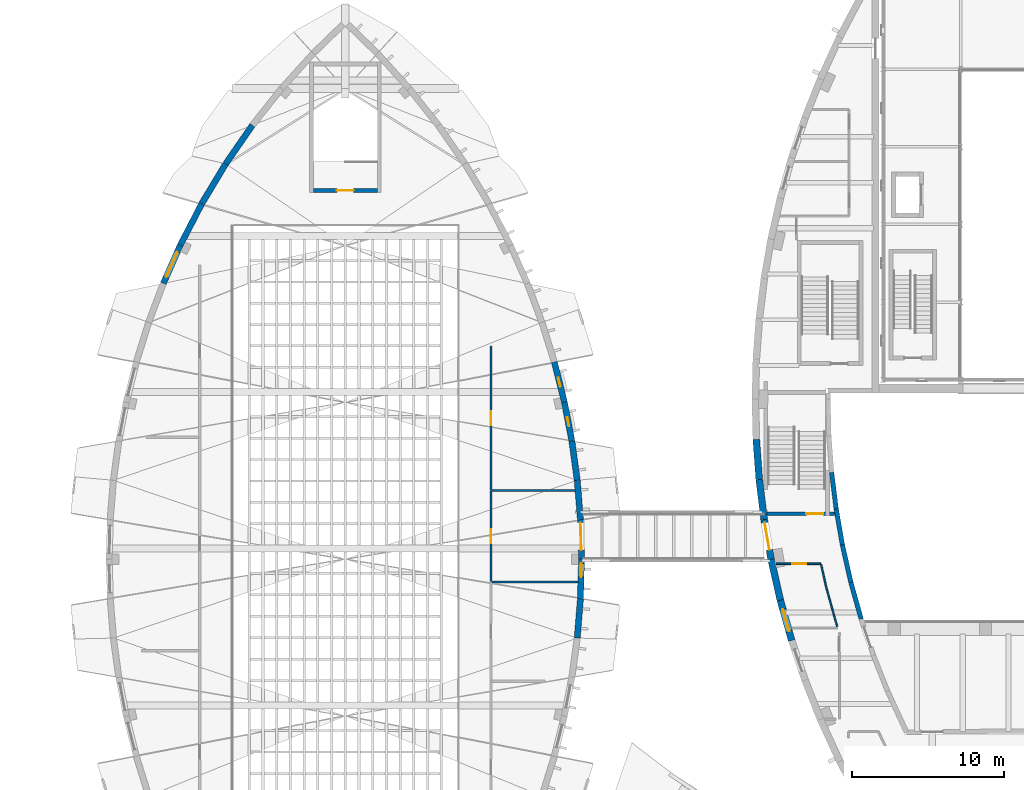
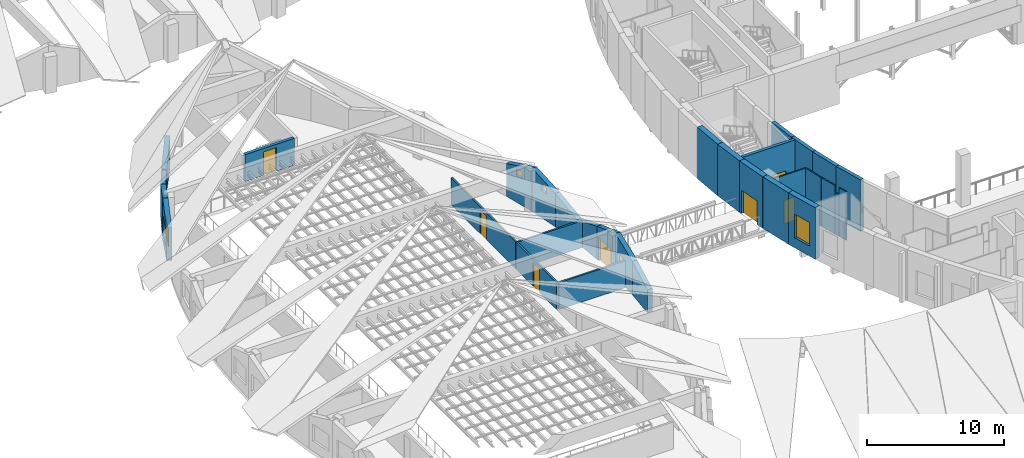
# One storey, part 31 of 56: 31 walls, 7 doors, 5 windows, 12 openings.
"""IFC4 building model written with IfcOpenShell, lengths in metres."""

from ifc_helpers import new_model, si_unit, direction, frame, frame_2d, origin, place, context, subcontext, project, spatial, polyline, rectangle, outline, extrude, material, layer, layer_set, type_object, element, fill, save


model = new_model("IFC4")

# Units and contexts
model_context = context("Model", 3, precision=1e-05, world=origin(), true_north=direction((0.0, 1.0)))
body_context = subcontext(model_context, "Body", "Model", "MODEL_VIEW")
ifc_project = project(units=[si_unit("LENGTHUNIT", "METRE"), si_unit("AREAUNIT", "SQUARE_METRE"), si_unit("VOLUMEUNIT", "CUBIC_METRE"), si_unit("PLANEANGLEUNIT", "RADIAN"), si_unit("MASSUNIT", "GRAM", prefix="KILO")], contexts=[model_context])

# Site, building, storey
site_placement = place(None, origin())
site = spatial("IfcSite", under=ifc_project, at=site_placement, CompositionType="ELEMENT")
building_placement = place(site_placement, origin())
building = spatial("IfcBuilding", under=site, at=building_placement, Name="Tide Square Theatres", CompositionType="ELEMENT")
storey_placement = place(building_placement, frame((0.0, 0.0, 10.199951171875)))
storey = spatial("IfcBuildingStorey", under=building, at=storey_placement, Name="L02", CompositionType="ELEMENT", Elevation=10.199951171875)

# Wall, opening, door
ifc_material_1 = material(Name="Gypsum board on steel studs", Category="steel")
ifc_layer_1 = layer(ifc_material_1, 0.10009765625)
ifc_layer_set_1 = layer_set([ifc_layer_1], Name="Gypsum board on steel studs")
wall_type_1 = type_object("IfcWallType", Name="Partition 100 thick", PredefinedType="PARTITIONING", material=ifc_layer_set_1)
wall_1_placement = place(storey_placement, frame((64.263427734375, 44.199951171875, 0.0), z_axis=(0.0, 0.0, 1.0), x_axis=(1.0, 0.0, 0.0)))
wall_1 = element("IfcWall", 1, at=wall_1_placement, inside=storey, type_object=wall_type_1, Name="Partition", PredefinedType="PARTITIONING", context=body_context, shape_type="SweptSolid", body=[
    extrude(rectangle(XDim=2.9140625, YDim=0.10009765625, at=frame_2d((1.45703125, 0.0))), origin(), (0.0, 0.0, 1.0), 4.35009765625),
])
opening_1_placement = place(wall_1_placement, frame((1.056884765625, 0.0, 0.0)))
opening_1 = element("IfcOpeningElement", 2, at=opening_1_placement, cuts=wall_1, Name="Opening M02-12", PredefinedType="OPENING", context=body_context, shape_type="SweptSolid", body=[
    extrude(rectangle(XDim=0.89990234375, YDim=2.10009765625, at=frame_2d((0.449951171875, 1.050048828125))), frame((0.0, 0.06005859375, 0.0), z_axis=(0.0, -1.0, 0.0), x_axis=(1.0, 0.0, 0.0)), (0.0, 0.0, 1.0), 0.1201171875),
])
ifc_material_2 = material(Name="Hardwood timber", Category="wood")
door_type_1 = type_object("IfcDoorType", Name="Door 900 x 2100 single leaf", OperationType="NOTDEFINED", PredefinedType="DOOR", material=ifc_material_2)
door_1_placement = place(opening_1_placement, frame((0.89990234375, 0.0, 0.0), z_axis=(0.0, 0.0, 1.0), x_axis=(-1.0, 0.0, 0.0)))
door_1 = element("IfcDoor", 3, at=door_1_placement, inside=storey, type_object=door_type_1, Name="Chorus Dressing Room 02 door", OperationType="SINGLE_SWING_LEFT", OverallHeight=2.10009765625, OverallWidth=0.89990234375, PredefinedType="DOOR", context=body_context, shape_type="SweptSolid", body=[
    extrude(rectangle(XDim=0.89990234375, YDim=2.10009765625, at=frame_2d((0.449951171875, 1.050048828125))), frame((0.0, 0.02490234375, 0.0), z_axis=(0.0, -1.0, 0.0), x_axis=(1.0, 0.0, 0.0)), (0.0, 0.0, 1.0), 0.050048828125),
])
fill(opening_1, door_1)

# Walls
wall_2_placement = place(storey_placement, frame((67.202880859375, 44.171630859375, 0.0), z_axis=(0.0, 0.0, 1.0), x_axis=(0.22038018305, -0.975414053066, 0.0)))
element("IfcWall", 4, at=wall_2_placement, inside=storey, type_object=wall_type_1, Name="Partition", PredefinedType="PARTITIONING", context=body_context, shape_type="SweptSolid", body=[
    extrude(rectangle(XDim=1.6328125, YDim=0.10009765625, at=frame_2d((0.81640625, 0.0))), origin(), (0.0, 0.0, 1.0), 4.35009765625),
])
wall_3_placement = place(storey_placement, frame((67.576416015625, 42.530029296875, 0.0), z_axis=(0.0, 0.0, 1.0), x_axis=(0.270047530382, -0.962846992691, 0.0)))
element("IfcWall", 5, at=wall_3_placement, inside=storey, type_object=wall_type_1, Name="Partition", PredefinedType="PARTITIONING", context=body_context, shape_type="SweptSolid", body=[
    extrude(rectangle(XDim=1.3876953125, YDim=0.10009765625, at=frame_2d((0.69384765625, 0.0))), origin(), (0.0, 0.0, 1.0), 4.35009765625),
])
wall_4_placement = place(storey_placement, frame((67.951171875, 41.19384765625, 0.0), z_axis=(0.0, 0.0, 1.0), x_axis=(0.26983234105, -0.962907320423, 0.0)))
element("IfcWall", 6, at=wall_4_placement, inside=storey, type_object=wall_type_1, Name="Partition", PredefinedType="PARTITIONING", context=body_context, shape_type="SweptSolid", body=[
    extrude(rectangle(XDim=0.402587890625, YDim=0.10009765625, at=frame_2d((0.201171875, 0.0))), origin(), (0.0, 0.0, 1.0), 3.719970703125),
])
wall_5_placement = place(storey_placement, frame((68.059814453125, 40.80615234375, 0.0), z_axis=(0.0, 0.0, 1.0), x_axis=(0.270039714022, -0.962849184894, 0.0)))
element("IfcWall", 7, at=wall_5_placement, inside=storey, type_object=wall_type_1, Name="Partition", PredefinedType="PARTITIONING", context=body_context, shape_type="SweptSolid", body=[
    extrude(rectangle(XDim=0.751220703125, YDim=0.10009765625, at=frame_2d((0.37548828125, 0.0))), origin(), (0.0, 0.0, 1.0), 4.35009765625),
])

# Wall, opening, door
ifc_material_3 = material(Name="Gypsum board on steel studs", Category="steel")
ifc_layer_2 = layer(ifc_material_3, 0.14990234375)
ifc_layer_set_2 = layer_set([ifc_layer_2], Name="Gypsum board on steel studs")
wall_type_2 = type_object("IfcWallType", Name="Partition 150 thick", PredefinedType="PARTITIONING", material=ifc_layer_set_2)
wall_6_placement = place(storey_placement, frame((45.550048828125, 48.97998046875, 0.0), z_axis=(0.0, 0.0, 1.0), x_axis=(0.0, -1.0, 0.0)))
wall_6 = element("IfcWall", 8, at=wall_6_placement, inside=storey, type_object=wall_type_2, Name="Studio Theatre partition", PredefinedType="PARTITIONING", context=body_context, shape_type="SweptSolid", body=[
    extrude(rectangle(XDim=5.9599609375, YDim=0.14990234375, at=frame_2d((2.97998046875, 0.0))), origin(), (0.0, 0.0, 1.0), 2.400146484375),
])
opening_2_placement = place(wall_6_placement, frame((2.530029296875, 0.0, 0.0)))
opening_2 = element("IfcOpeningElement", 9, at=opening_2_placement, cuts=wall_6, Name="Opening S02-07", PredefinedType="OPENING", context=body_context, shape_type="SweptSolid", body=[
    extrude(rectangle(XDim=0.89990234375, YDim=2.10009765625, at=frame_2d((0.449951171875, 1.050048828125))), frame((0.0, 0.0849609375, 0.0), z_axis=(0.0, -1.0, 0.0), x_axis=(1.0, 0.0, 0.0)), (0.0, 0.0, 1.0), 0.169921875),
])
door_2_placement = place(opening_2_placement, origin())
door_2 = element("IfcDoor", 10, at=door_2_placement, inside=storey, type_object=door_type_1, Name="Bridge Lobby door", OperationType="SINGLE_SWING_RIGHT", OverallHeight=2.10009765625, OverallWidth=0.89990234375, PredefinedType="DOOR", context=body_context, shape_type="SweptSolid", body=[
    extrude(rectangle(XDim=0.89990234375, YDim=2.10009765625, at=frame_2d((0.449951171875, 1.050048828125))), frame((0.0, 0.02490234375, 0.0), z_axis=(0.0, -1.0, 0.0), x_axis=(1.0, 0.0, 0.0)), (0.0, 0.0, 1.0), 0.050048828125),
])
fill(opening_2, door_2)

wall_7_placement = place(storey_placement, frame((45.550048828125, 58.47998046875, 0.0), z_axis=(0.0, 0.0, 1.0), x_axis=(0.0, -1.0, 0.0)))
wall_7 = element("IfcWall", 11, at=wall_7_placement, inside=storey, type_object=wall_type_2, Name="Studio Theatre partition", PredefinedType="PARTITIONING", context=body_context, shape_type="SweptSolid", body=[
    extrude(rectangle(XDim=9.4599609375, YDim=0.14990234375, at=frame_2d((4.72998046875, 0.0))), origin(), (0.0, 0.0, 1.0), 2.400146484375),
])
opening_3_placement = place(wall_7_placement, frame((4.280029296875, 0.0, 0.0)))
opening_3 = element("IfcOpeningElement", 12, at=opening_3_placement, cuts=wall_7, Name="Opening S02-08", PredefinedType="OPENING", context=body_context, shape_type="SweptSolid", body=[
    extrude(rectangle(XDim=0.89990234375, YDim=2.10009765625, at=frame_2d((0.449951171875, 1.050048828125))), frame((0.0, 0.0849609375, 0.0), z_axis=(0.0, -1.0, 0.0), x_axis=(1.0, 0.0, 0.0)), (0.0, 0.0, 1.0), 0.169921875),
])
door_3_placement = place(opening_3_placement, origin())
door_3 = element("IfcDoor", 13, at=door_3_placement, inside=storey, type_object=door_type_1, Name="Plant Room 03 door", OperationType="SINGLE_SWING_RIGHT", OverallHeight=2.10009765625, OverallWidth=0.89990234375, PredefinedType="DOOR", context=body_context, shape_type="SweptSolid", body=[
    extrude(rectangle(XDim=0.89990234375, YDim=2.10009765625, at=frame_2d((0.449951171875, 1.050048828125))), frame((0.0, 0.02490234375, 0.0), z_axis=(0.0, -1.0, 0.0), x_axis=(1.0, 0.0, 0.0)), (0.0, 0.0, 1.0), 0.050048828125),
])
fill(opening_3, door_3)

# Walls
wall_8_placement = place(storey_placement, frame((45.610107421875, 43.0, 0.0), z_axis=(0.0, 0.0, 1.0), x_axis=(1.0, 0.0, 0.0)))
element("IfcWall", 14, at=wall_8_placement, inside=storey, type_object=wall_type_2, Name="Studio Theatre partition", PredefinedType="PARTITIONING", context=body_context, shape_type="SweptSolid", body=[
    extrude(rectangle(XDim=5.642333984375, YDim=0.14990234375, at=frame_2d((2.8212890625, 0.0))), origin(), (0.0, 0.0, 1.0), 2.400146484375),
])
wall_9_placement = place(storey_placement, frame((45.610107421875, 49.0, 0.0), z_axis=(0.0, 0.0, 1.0), x_axis=(1.0, 0.0, 0.0)))
element("IfcWall", 15, at=wall_9_placement, inside=storey, type_object=wall_type_2, Name="Studio Theatre partition", PredefinedType="PARTITIONING", context=body_context, shape_type="SweptSolid", body=[
    extrude(rectangle(XDim=5.45654296875, YDim=0.14990234375, at=frame_2d((2.728271484375, 0.0))), origin(), (0.0, 0.0, 1.0), 2.400146484375),
])
ifc_material_4 = material(Name="Concrete C40", Category="concrete")
ifc_layer_3 = layer(ifc_material_4, 0.39990234375)
ifc_layer_set_3 = layer_set([ifc_layer_3], Name="Concrete C40")
wall_type_3 = type_object("IfcWallType", Name="RC curved wall 400 thick", PredefinedType="SOLIDWALL", material=ifc_layer_set_3)
wall_10_placement = place(storey_placement, frame((51.212158203125, 39.329833984375, 0.0), z_axis=(0.0, 0.0, 1.0), x_axis=(0.081323667998, 0.996687744995, 0.0)))
element("IfcWall", 16, at=wall_10_placement, inside=storey, type_object=wall_type_3, Name="Studio Theatre perimeter wall", PredefinedType="SOLIDWALL", context=body_context, shape_type="SweptSolid", body=[
    extrude(outline(polyline([(0.0, 0.0), (2.581787109375, 0.0), (2.581787109375, 2.96240234375), (2.570068359375, 2.958740234375), (0.044921875, 2.08056640625), (0.0, 2.075927734375), (0.0, 0.0)])), frame((0.0, 0.199951171875, 0.0), z_axis=(0.0, -1.0, 0.0), x_axis=(1.0, 0.0, 0.0)), (0.0, 0.0, 1.0), 0.39990234375),
])

# Wall, opening, window
wall_11_placement = place(storey_placement, frame((51.422607421875, 41.913818359375, 0.0), z_axis=(0.0, 0.0, 1.0), x_axis=(0.027139748682, 0.99963164918, 0.0)))
wall_11 = element("IfcWall", 17, at=wall_11_placement, inside=storey, type_object=wall_type_3, Name="Studio Theatre perimeter wall", PredefinedType="SOLIDWALL", context=body_context, shape_type="SweptSolid", body=[
    extrude(outline(polyline([(0.0, 0.0), (2.581787109375, 0.0), (2.581787109375, 3.865966796875), (2.516845703125, 3.84326171875), (0.0, 2.9697265625), (0.0, 0.0)])), frame((0.0, 0.199951171875, 0.0), z_axis=(0.0, -1.0, 0.0), x_axis=(1.0, 0.0, 0.0)), (0.0, 0.0, 1.0), 0.39990234375),
])
opening_4_placement = place(wall_11_placement, frame((1.406494140625, 0.0, 0.89990234375)))
opening_4 = element("IfcOpeningElement", 18, at=opening_4_placement, cuts=wall_11, Name="Opening WN-09", PredefinedType="OPENING", context=body_context, shape_type="SweptSolid", body=[
    extrude(rectangle(XDim=0.89990234375, YDim=1.5, at=frame_2d((0.449951171875, 0.75))), frame((0.0, 0.2099609375, 0.0), z_axis=(0.0, -1.0, 0.0), x_axis=(1.0, 0.0, 0.0)), (0.0, 0.0, 1.0), 0.419921875),
])
ifc_material_5 = material(Name="Aluminium with laminated glass", Category="aluminium")
window_type_1 = type_object("IfcWindowType", Name="Window 900 x 1500", PartitioningType="SINGLE_PANEL", PredefinedType="WINDOW", material=ifc_material_5)
window_1_placement = place(opening_4_placement, origin())
window_1 = element("IfcWindow", 19, at=window_1_placement, inside=storey, type_object=window_type_1, Name="Studio Theatre Bridge Lobby window", OverallHeight=1.5, OverallWidth=0.89990234375, PartitioningType="SINGLE_PANEL", PredefinedType="WINDOW", context=body_context, shape_type="SweptSolid", body=[
    extrude(rectangle(XDim=0.89990234375, YDim=1.5, at=frame_2d((0.449951171875, 0.75))), frame((0.0, 0.030029296875, 0.0), z_axis=(0.0, -1.0, 0.0), x_axis=(1.0, 0.0, 0.0)), (0.0, 0.0, 1.0), 0.06005859375),
])
fill(opening_4, window_1)

# Wall, opening, door
wall_12_placement = place(storey_placement, frame((51.49267578125, 44.50537109375, 0.0), z_axis=(0.0, 0.0, 1.0), x_axis=(-0.027139748682, 0.99963164918, 0.0)))
wall_12 = element("IfcWall", 20, at=wall_12_placement, inside=storey, type_object=wall_type_3, Name="Studio Theatre perimeter wall", PredefinedType="SOLIDWALL", context=body_context, shape_type="SweptSolid", body=[
    extrude(outline(polyline([(0.0, 0.0), (2.581787109375, 0.0), (2.581787109375, 2.9697265625), (2.55908203125, 2.9775390625), (0.053955078125, 3.84716796875), (0.0, 3.865966796875), (0.0, 0.0)])), frame((0.0, 0.199951171875, 0.0), z_axis=(0.0, -1.0, 0.0), x_axis=(1.0, 0.0, 0.0)), (0.0, 0.0, 1.0), 0.39990234375),
])
opening_5_placement = place(wall_12_placement, frame((0.59521484375, 0.0, 0.0)))
opening_5 = element("IfcOpeningElement", 21, at=opening_5_placement, cuts=wall_12, Name="Opening S02-01", PredefinedType="OPENING", context=body_context, shape_type="SweptSolid", body=[
    extrude(rectangle(XDim=1.800048828125, YDim=2.10009765625, at=frame_2d((0.89990234375, 1.050048828125))), frame((0.0, 0.2099609375, 0.0), z_axis=(0.0, -1.0, 0.0), x_axis=(1.0, 0.0, 0.0)), (0.0, 0.0, 1.0), 0.419921875),
])
ifc_material_6 = material(Name="Hardwood timber", Category="wood")
door_type_2 = type_object("IfcDoorType", Name="Door 1800 x 2100 double leaf", OperationType="DOUBLE_DOOR_SINGLE_SWING", PredefinedType="DOOR", material=ifc_material_6)
door_4_placement = place(opening_5_placement, origin())
door_4 = element("IfcDoor", 22, at=door_4_placement, inside=storey, type_object=door_type_2, Name="Studio Theatre bridge door BR-W2", OperationType="DOUBLE_DOOR_SINGLE_SWING", OverallHeight=2.10009765625, OverallWidth=1.800048828125, PredefinedType="DOOR", context=body_context, shape_type="SweptSolid", body=[
    extrude(rectangle(XDim=1.800048828125, YDim=2.10009765625, at=frame_2d((0.89990234375, 1.050048828125))), frame((0.0, 0.02490234375, 0.0), z_axis=(0.0, -1.0, 0.0), x_axis=(1.0, 0.0, 0.0)), (0.0, 0.0, 1.0), 0.050048828125),
])
fill(opening_5, door_4)

# Walls
wall_13_placement = place(storey_placement, frame((51.422119140625, 47.096923828125, 0.0), z_axis=(0.0, 0.0, 1.0), x_axis=(-0.081323667998, 0.996687744995, 0.0)))
element("IfcWall", 23, at=wall_13_placement, inside=storey, type_object=wall_type_3, Name="Studio Theatre perimeter wall", PredefinedType="SOLIDWALL", context=body_context, shape_type="SweptSolid", body=[
    extrude(outline(polyline([(0.0, 0.0), (2.581787109375, 0.0), (2.581787109375, 2.065185546875), (2.536865234375, 2.08056640625), (0.0, 2.962158203125), (0.0, 0.0)])), frame((0.0, 0.199951171875, 0.0), z_axis=(0.0, -1.0, 0.0), x_axis=(1.0, 0.0, 0.0)), (0.0, 0.0, 1.0), 0.39990234375),
])
wall_14_placement = place(storey_placement, frame((51.211181640625, 49.680908203125, 0.0), z_axis=(0.0, 0.0, 1.0), x_axis=(-0.13522291824, 0.990815200924, 0.0)))
element("IfcWall", 24, at=wall_14_placement, inside=storey, type_object=wall_type_3, Name="Studio Theatre perimeter wall", PredefinedType="SOLIDWALL", context=body_context, shape_type="SweptSolid", body=[
    extrude(outline(polyline([(0.0, 0.0), (2.581787109375, 0.0), (2.581787109375, 2.96435546875), (2.524169921875, 2.945068359375), (0.09375, 2.1015625), (0.0, 2.06884765625), (0.0, 0.0)])), frame((0.0, 0.199951171875, 0.0), z_axis=(0.0, -1.0, 0.0), x_axis=(1.0, 0.0, 0.0)), (0.0, 0.0, 1.0), 0.39990234375),
])

# Wall, opening, window
wall_15_placement = place(storey_placement, frame((50.8603515625, 52.24951171875, 0.0), z_axis=(0.0, 0.0, 1.0), x_axis=(-0.188763210152, 0.982022632373, 0.0)))
wall_15 = element("IfcWall", 25, at=wall_15_placement, inside=storey, type_object=wall_type_3, Name="Studio Theatre perimeter wall", PredefinedType="SOLIDWALL", context=body_context, shape_type="SweptSolid", body=[
    extrude(outline(polyline([(0.0, 0.0), (2.58154296875, 0.0), (2.581298828125, 3.831787109375), (2.54296875, 3.8544921875), (2.466064453125, 3.82763671875), (0.06982421875, 2.995849609375), (0.0, 2.9716796875), (0.0, 0.0)])), frame((0.0, 0.199951171875, 0.0), z_axis=(0.0, -1.0, 0.0), x_axis=(1.0, 0.0, 0.0)), (0.0, 0.0, 1.0), 0.39990234375),
])
opening_6_placement = place(wall_15_placement, frame((0.99072265625, 0.0, 2.39990234375)))
opening_6 = element("IfcOpeningElement", 26, at=opening_6_placement, cuts=wall_15, Name="Opening WN-13", PredefinedType="OPENING", context=body_context, shape_type="SweptSolid", body=[
    extrude(rectangle(XDim=0.60009765625, YDim=0.60009765625, at=frame_2d((0.300048828125, 0.300048828125))), frame((0.0, 0.2099609375, 0.0), z_axis=(0.0, -1.0, 0.0), x_axis=(1.0, 0.0, 0.0)), (0.0, 0.0, 1.0), 0.419921875),
])
ifc_material_7 = material(Name="Aluminium with laminated glass", Category="aluminium")
window_type_2 = type_object("IfcWindowType", Name="Window 600 x 600", PartitioningType="SINGLE_PANEL", PredefinedType="WINDOW", material=ifc_material_7)
window_2_placement = place(opening_6_placement, origin())
window_2 = element("IfcWindow", 27, at=window_2_placement, inside=storey, type_object=window_type_2, Name="Studio Theatre Plant Room 03 window", OverallHeight=0.60009765625, OverallWidth=0.60009765625, PartitioningType="SINGLE_PANEL", PredefinedType="WINDOW", context=body_context, shape_type="SweptSolid", body=[
    extrude(rectangle(XDim=0.60009765625, YDim=0.60009765625, at=frame_2d((0.300048828125, 0.300048828125))), frame((0.0, 0.030029296875, 0.0), z_axis=(0.0, -1.0, 0.0), x_axis=(1.0, 0.0, 0.0)), (0.0, 0.0, 1.0), 0.06005859375),
])
fill(opening_6, window_2)

wall_16_placement = place(storey_placement, frame((50.37060546875, 54.79541015625, 0.0), z_axis=(0.0, 0.0, 1.0), x_axis=(-0.2430011368, 0.970026003525, 0.0)))
wall_16 = element("IfcWall", 28, at=wall_16_placement, inside=storey, type_object=wall_type_3, Name="Studio Theatre perimeter wall", PredefinedType="SOLIDWALL", context=body_context, shape_type="SweptSolid", body=[
    extrude(outline(polyline([(0.0, 0.0), (2.714599609375, 0.0), (2.714599609375, 2.92529296875), (0.128173828125, 3.780517578125), (0.077880859375, 3.797119140625), (0.0, 3.822998046875), (0.0, 0.0)])), frame((0.0, 0.199951171875, 0.0), z_axis=(0.0, -1.0, 0.0), x_axis=(1.0, 0.0, 0.0)), (0.0, 0.0, 1.0), 0.39990234375),
])
opening_7_placement = place(wall_16_placement, frame((1.057373046875, 0.0, 2.39990234375)))
opening_7 = element("IfcOpeningElement", 29, at=opening_7_placement, cuts=wall_16, Name="Opening WN-13", PredefinedType="OPENING", context=body_context, shape_type="SweptSolid", body=[
    extrude(rectangle(XDim=0.60009765625, YDim=0.60009765625, at=frame_2d((0.300048828125, 0.300048828125))), frame((0.0, 0.2099609375, 0.0), z_axis=(0.0, -1.0, 0.0), x_axis=(1.0, 0.0, 0.0)), (0.0, 0.0, 1.0), 0.419921875),
])
window_3_placement = place(opening_7_placement, origin())
window_3 = element("IfcWindow", 30, at=window_3_placement, inside=storey, type_object=window_type_2, Name="Studio Theatre Plant Room 03 window", OverallHeight=0.60009765625, OverallWidth=0.60009765625, PartitioningType="SINGLE_PANEL", PredefinedType="WINDOW", context=body_context, shape_type="SweptSolid", body=[
    extrude(rectangle(XDim=0.60009765625, YDim=0.60009765625, at=frame_2d((0.300048828125, 0.300048828125))), frame((0.0, 0.030029296875, 0.0), z_axis=(0.0, -1.0, 0.0), x_axis=(1.0, 0.0, 0.0)), (0.0, 0.0, 1.0), 0.06005859375),
])
fill(opening_7, window_3)

# Walls
wall_17_placement = place(storey_placement, frame((29.90234375, 72.95849609375, 0.0), z_axis=(0.0, 0.0, 1.0), x_axis=(-0.569371892655, -0.822080073871, 0.0)))
element("IfcWall", 31, at=wall_17_placement, inside=storey, type_object=wall_type_3, Name="Studio Theatre perimeter wall", PredefinedType="SOLIDWALL", context=body_context, shape_type="SweptSolid", body=[
    extrude(outline(polyline([(0.0, 0.0), (3.0576171875, 0.0), (3.057861328125, 1.9677734375), (2.59619140625, 2.10302734375), (0.29296875, 2.76904296875), (0.0, 2.837646484375), (0.0, 0.0)])), frame((0.0, 0.199951171875, 0.0), z_axis=(0.0, -1.0, 0.0), x_axis=(1.0, 0.0, 0.0)), (0.0, 0.0, 1.0), 0.39990234375),
])
wall_18_placement = place(storey_placement, frame((28.154296875, 70.43408203125, 0.0), z_axis=(0.0, 0.0, 1.0), x_axis=(-0.515387841983, -0.856957042293, 0.0)))
element("IfcWall", 32, at=wall_18_placement, inside=storey, type_object=wall_type_3, Name="Studio Theatre perimeter wall", PredefinedType="SOLIDWALL", context=body_context, shape_type="SweptSolid", body=[
    extrude(outline(polyline([(0.0, 0.0), (3.057861328125, 0.0), (3.057861328125, 2.799560546875), (3.010986328125, 2.785888671875), (0.059814453125, 1.946533203125), (0.0, 1.9609375), (0.0, 0.0)])), frame((0.0, 0.199951171875, 0.0), z_axis=(0.0, -1.0, 0.0), x_axis=(1.0, 0.0, 0.0)), (0.0, 0.0, 1.0), 0.39990234375),
])
wall_19_placement = place(storey_placement, frame((26.572021484375, 67.802490234375, 0.0), z_axis=(0.0, 0.0, 1.0), x_axis=(-0.45930565039, -0.888278289457, 0.0)))
element("IfcWall", 33, at=wall_19_placement, inside=storey, type_object=wall_type_3, Name="Studio Theatre perimeter wall", PredefinedType="SOLIDWALL", context=body_context, shape_type="SweptSolid", body=[
    extrude(outline(polyline([(0.0, 0.0), (3.05859375, 0.0), (3.05859375, 3.711181640625), (2.947021484375, 3.678466796875), (2.843505859375, 3.648193359375), (0.0, 2.807373046875), (0.0, 0.0)])), frame((0.0, 0.199951171875, 0.0), z_axis=(0.0, -1.0, 0.0), x_axis=(1.0, 0.0, 0.0)), (0.0, 0.0, 1.0), 0.39990234375),
])

# Wall, opening, window
wall_20_placement = place(storey_placement, frame((25.162109375, 65.07470703125, 0.0), z_axis=(0.0, 0.0, 1.0), x_axis=(-0.404652153757, -0.914470685402, 0.0)))
wall_20 = element("IfcWall", 34, at=wall_20_placement, inside=storey, type_object=wall_type_3, Name="Studio Theatre perimeter wall", PredefinedType="SOLIDWALL", context=body_context, shape_type="SweptSolid", body=[
    extrude(outline(polyline([(0.0, 0.0), (2.7138671875, 0.0), (2.713623046875, 2.917236328125), (2.57568359375, 2.962890625), (0.19677734375, 3.74853515625), (0.108154296875, 3.77783203125), (0.0, 3.719970703125), (0.0, 0.0)])), frame((0.0, 0.199951171875, 0.0), z_axis=(0.0, -1.0, 0.0), x_axis=(1.0, 0.0, 0.0)), (0.0, 0.0, 1.0), 0.39990234375),
])
opening_8_placement = place(wall_20_placement, frame((0.456787109375, 0.0, 0.89990234375)))
opening_8 = element("IfcOpeningElement", 35, at=opening_8_placement, cuts=wall_20, Name="Opening WN-15", PredefinedType="OPENING", context=body_context, shape_type="SweptSolid", body=[
    extrude(rectangle(XDim=1.800048828125, YDim=1.5, at=frame_2d((0.89990234375, 0.75))), frame((0.0, 0.2099609375, 0.0), z_axis=(0.0, -1.0, 0.0), x_axis=(1.0, 0.0, 0.0)), (0.0, 0.0, 1.0), 0.419921875),
])
ifc_material_8 = material(Name="Aluminium with laminated glass", Category="aluminium")
window_type_3 = type_object("IfcWindowType", Name="Window 1800 x 1500", PartitioningType="DOUBLE_PANEL_VERTICAL", PredefinedType="WINDOW", material=ifc_material_8)
window_4_placement = place(opening_8_placement, origin())
window_4 = element("IfcWindow", 36, at=window_4_placement, inside=storey, type_object=window_type_3, Name="Studio Theatre Rehearsal Room 03 window", OverallHeight=1.5, OverallWidth=1.800048828125, PartitioningType="SINGLE_PANEL", PredefinedType="WINDOW", context=body_context, shape_type="SweptSolid", body=[
    extrude(rectangle(XDim=1.800048828125, YDim=1.5, at=frame_2d((0.89990234375, 0.75))), frame((0.0, 0.030029296875, 0.0), z_axis=(0.0, -1.0, 0.0), x_axis=(1.0, 0.0, 0.0)), (0.0, 0.0, 1.0), 0.06005859375),
])
fill(opening_8, window_4)

# Walls
ifc_material_9 = material(Name="Concrete C40", Category="concrete")
ifc_layer_4 = layer(ifc_material_9, 0.449951171875)
ifc_layer_set_4 = layer_set([ifc_layer_4], Name="Concrete C40")
wall_type_4 = type_object("IfcWallType", Name="RC curved wall 450 thick", PredefinedType="SOLIDWALL", material=ifc_layer_set_4)
wall_21_placement = place(storey_placement, frame((62.955078125, 52.358154296875, 0.0), z_axis=(0.0, 0.0, 1.0), x_axis=(0.07363685767, -0.997285121313, 0.0)))
element("IfcWall", 37, at=wall_21_placement, inside=storey, type_object=wall_type_4, Name="Main Theatre perimeter wall", PredefinedType="SOLIDWALL", context=body_context, shape_type="SweptSolid", body=[
    extrude(rectangle(XDim=2.642333984375, YDim=0.449951171875, at=frame_2d((1.3212890625, 0.0))), origin(), (0.0, 0.0, 1.0), 4.60009765625),
])
wall_22_placement = place(storey_placement, frame((63.149658203125, 49.722900390625, 0.0), z_axis=(0.0, 0.0, 1.0), x_axis=(0.122499610212, -0.992468561466, 0.0)))
element("IfcWall", 38, at=wall_22_placement, inside=storey, type_object=wall_type_4, Name="Main Theatre perimeter wall", PredefinedType="SOLIDWALL", context=body_context, shape_type="SweptSolid", body=[
    extrude(rectangle(XDim=2.642822265625, YDim=0.449951171875, at=frame_2d((1.3212890625, 0.0))), origin(), (0.0, 0.0, 1.0), 4.60009765625),
])

# Wall, opening, door
wall_23_placement = place(storey_placement, frame((63.473388671875, 47.10009765625, 0.0), z_axis=(0.0, 0.0, 1.0), x_axis=(0.171196910379, -0.985236833394, 0.0)))
wall_23 = element("IfcWall", 39, at=wall_23_placement, inside=storey, type_object=wall_type_4, Name="Main Theatre perimeter wall", PredefinedType="SOLIDWALL", context=body_context, shape_type="SweptSolid", body=[
    extrude(rectangle(XDim=2.642578125, YDim=0.449951171875, at=frame_2d((1.3212890625, 0.0))), origin(), (0.0, 0.0, 1.0), 4.60009765625),
])
opening_9_placement = place(wall_23_placement, frame((0.216552734375, 0.0, 0.0)))
opening_9 = element("IfcOpeningElement", 40, at=opening_9_placement, cuts=wall_23, Name="Opening M02-06", PredefinedType="OPENING", context=body_context, shape_type="SweptSolid", body=[
    extrude(rectangle(XDim=1.800048828125, YDim=2.10009765625, at=frame_2d((0.89990234375, 1.050048828125))), frame((0.0, 0.23486328125, 0.0), z_axis=(0.0, -1.0, 0.0), x_axis=(1.0, 0.0, 0.0)), (0.0, 0.0, 1.0), 0.469970703125),
])
door_5_placement = place(opening_9_placement, frame((1.800048828125, 0.0, 0.0), z_axis=(0.0, 0.0, 1.0), x_axis=(-1.0, 0.0, 0.0)))
door_5 = element("IfcDoor", 41, at=door_5_placement, inside=storey, type_object=door_type_2, Name="Bridge door BR-W2", OperationType="DOUBLE_DOOR_SINGLE_SWING", OverallHeight=2.10009765625, OverallWidth=1.800048828125, PredefinedType="DOOR", context=body_context, shape_type="SweptSolid", body=[
    extrude(rectangle(XDim=1.800048828125, YDim=2.10009765625, at=frame_2d((0.89990234375, 1.050048828125))), frame((0.0, 0.02490234375, 0.0), z_axis=(0.0, -1.0, 0.0), x_axis=(1.0, 0.0, 0.0)), (0.0, 0.0, 1.0), 0.050048828125),
])
fill(opening_9, door_5)

# Wall
wall_24_placement = place(storey_placement, frame((63.92578125, 44.49658203125, 0.0), z_axis=(0.0, 0.0, 1.0), x_axis=(0.220347996563, -0.975421324562, 0.0)))
element("IfcWall", 42, at=wall_24_placement, inside=storey, type_object=wall_type_4, Name="Main Theatre perimeter wall", PredefinedType="SOLIDWALL", context=body_context, shape_type="SweptSolid", body=[
    extrude(rectangle(XDim=2.752197265625, YDim=0.449951171875, at=frame_2d((1.3759765625, 0.0))), origin(), (0.0, 0.0, 1.0), 4.60009765625),
])

# Wall, opening, window
wall_25_placement = place(storey_placement, frame((64.5322265625, 41.81201171875, 0.0), z_axis=(0.0, 0.0, 1.0), x_axis=(0.270008269196, -0.962858003324, 0.0)))
wall_25 = element("IfcWall", 43, at=wall_25_placement, inside=storey, type_object=wall_type_4, Name="Main Theatre perimeter wall", PredefinedType="SOLIDWALL", context=body_context, shape_type="SweptSolid", body=[
    extrude(rectangle(XDim=2.75244140625, YDim=0.449951171875, at=frame_2d((1.376220703125, 0.0))), origin(), (0.0, 0.0, 1.0), 4.60009765625),
])
opening_10_placement = place(wall_25_placement, frame((0.626220703125, 0.0, 0.89990234375)))
opening_10 = element("IfcOpeningElement", 44, at=opening_10_placement, cuts=wall_25, Name="Opening WN-01", PredefinedType="OPENING", context=body_context, shape_type="SweptSolid", body=[
    extrude(rectangle(XDim=1.5, YDim=2.10009765625, at=frame_2d((0.75, 1.050048828125))), frame((0.0, 0.23486328125, 0.0), z_axis=(0.0, -1.0, 0.0), x_axis=(1.0, 0.0, 0.0)), (0.0, 0.0, 1.0), 0.469970703125),
])
ifc_material_10 = material(Name="Aluminium with laminated glass", Category="aluminium")
window_type_4 = type_object("IfcWindowType", Name="Window 1500 x 2100", PartitioningType="SINGLE_PANEL", PredefinedType="WINDOW", material=ifc_material_10)
window_5_placement = place(opening_10_placement, origin())
window_5 = element("IfcWindow", 45, at=window_5_placement, inside=storey, type_object=window_type_4, Name="Main Theatre window", OverallHeight=2.10009765625, OverallWidth=1.5, PartitioningType="SINGLE_PANEL", PredefinedType="WINDOW", context=body_context, shape_type="SweptSolid", body=[
    extrude(rectangle(XDim=1.5, YDim=2.10009765625, at=frame_2d((0.75, 1.050048828125))), frame((0.0, 0.030029296875, 0.0), z_axis=(0.0, -1.0, 0.0), x_axis=(1.0, 0.0, 0.0)), (0.0, 0.0, 1.0), 0.06005859375),
])
fill(opening_10, window_5)

# Wall, opening, door
ifc_material_11 = material(Name="Concrete C40", Category="concrete")
ifc_layer_5 = layer(ifc_material_11, 0.25)
ifc_layer_set_5 = layer_set([ifc_layer_5], Name="Concrete C40")
wall_type_5 = type_object("IfcWallType", Name="RC shear wall 250 thick", PredefinedType="SHEAR", material=ifc_layer_set_5)
wall_26_placement = place(storey_placement, frame((68.10009765625, 47.47509765625, 0.0), z_axis=(0.0, 0.0, 1.0), x_axis=(-1.0, 0.0, 0.0)))
wall_26 = element("IfcWall", 46, at=wall_26_placement, inside=storey, type_object=wall_type_5, Name="Main Theatre West Circle Stair shaft wall", PredefinedType="SHEAR", context=body_context, shape_type="SweptSolid", body=[
    extrude(rectangle(XDim=4.43017578125, YDim=0.25, at=frame_2d((2.215087890625, 0.0))), origin(), (0.0, 0.0, 1.0), 4.60009765625),
])
opening_11_placement = place(wall_26_placement, frame((0.75, 0.0, 0.0)))
opening_11 = element("IfcOpeningElement", 47, at=opening_11_placement, cuts=wall_26, Name="Opening M02-03", PredefinedType="OPENING", context=body_context, shape_type="SweptSolid", body=[
    extrude(rectangle(XDim=1.10009765625, YDim=2.10009765625, at=frame_2d((0.550048828125, 1.050048828125))), frame((0.0, 0.135009765625, 0.0), z_axis=(0.0, -1.0, 0.0), x_axis=(1.0, 0.0, 0.0)), (0.0, 0.0, 1.0), 0.27001953125),
])
ifc_material_12 = material(Name="Painted steel", Category="steel")
door_type_3 = type_object("IfcDoorType", Name="Door 1100 x 2100 single leaf", OperationType="NOTDEFINED", PredefinedType="DOOR", material=ifc_material_12)
door_6_placement = place(opening_11_placement, origin())
door_6 = element("IfcDoor", 48, at=door_6_placement, inside=storey, type_object=door_type_3, Name="Main Theatre West Circle Stair stair door", OperationType="SINGLE_SWING_RIGHT", OverallHeight=2.10009765625, OverallWidth=1.10009765625, PredefinedType="DOOR", context=body_context, shape_type="SweptSolid", body=[
    extrude(rectangle(XDim=1.10009765625, YDim=2.10009765625, at=frame_2d((0.550048828125, 1.050048828125))), frame((0.0, 0.02490234375, 0.0), z_axis=(0.0, -1.0, 0.0), x_axis=(1.0, 0.0, 0.0)), (0.0, 0.0, 1.0), 0.050048828125),
])
fill(opening_11, door_6)

wall_27_placement = place(storey_placement, frame((38.10009765625, 68.675048828125, 0.0), z_axis=(0.0, 0.0, 1.0), x_axis=(-1.0, 0.0, 0.0)))
wall_27 = element("IfcWall", 49, at=wall_27_placement, inside=storey, type_object=wall_type_5, Name="Studio Theatre Stair S1 shaft wall", PredefinedType="SHEAR", context=body_context, shape_type="SweptSolid", body=[
    extrude(rectangle(XDim=4.2001953125, YDim=0.25, at=frame_2d((2.10009765625, 0.0))), origin(), (0.0, 0.0, 1.0), 2.400146484375),
])
opening_12_placement = place(wall_27_placement, frame((1.550048828125, 0.0, 0.0)))
opening_12 = element("IfcOpeningElement", 50, at=opening_12_placement, cuts=wall_27, Name="Opening S02-09", PredefinedType="OPENING", context=body_context, shape_type="SweptSolid", body=[
    extrude(rectangle(XDim=1.10009765625, YDim=2.10009765625, at=frame_2d((0.550048828125, 1.050048828125))), frame((0.0, 0.135009765625, 0.0), z_axis=(0.0, -1.0, 0.0), x_axis=(1.0, 0.0, 0.0)), (0.0, 0.0, 1.0), 0.27001953125),
])
door_7_placement = place(opening_12_placement, origin())
door_7 = element("IfcDoor", 51, at=door_7_placement, inside=storey, type_object=door_type_3, Name="Studio Theatre stair door", OperationType="SINGLE_SWING_RIGHT", OverallHeight=2.10009765625, OverallWidth=1.10009765625, PredefinedType="DOOR", context=body_context, shape_type="SweptSolid", body=[
    extrude(rectangle(XDim=1.10009765625, YDim=2.10009765625, at=frame_2d((0.550048828125, 1.050048828125))), frame((0.0, 0.02490234375, 0.0), z_axis=(0.0, -1.0, 0.0), x_axis=(1.0, 0.0, 0.0)), (0.0, 0.0, 1.0), 0.050048828125),
])
fill(opening_12, door_7)

# Walls
ifc_material_13 = material(Name="Concrete C40", Category="concrete")
ifc_layer_6 = layer(ifc_material_13, 0.300048828125)
ifc_layer_set_6 = layer_set([ifc_layer_6], Name="Concrete C40")
wall_type_6 = type_object("IfcWallType", Name="RC shear wall 300 thick", PredefinedType="SHEAR", material=ifc_layer_set_6)
wall_28_placement = place(storey_placement, frame((67.903076171875, 50.19140625, 0.0), z_axis=(0.0, 0.0, 1.0), x_axis=(0.122487115362, -0.992470103615, 0.0)))
element("IfcWall", 52, at=wall_28_placement, inside=storey, type_object=wall_type_6, Name="Main Theatre auditorium wall", PredefinedType="SHEAR", context=body_context, shape_type="SweptSolid", body=[
    extrude(rectangle(XDim=2.40771484375, YDim=0.300048828125, at=frame_2d((1.203857421875, 0.0))), origin(), (0.0, 0.0, 1.0), 4.60009765625),
])
wall_29_placement = place(storey_placement, frame((68.197998046875, 47.8017578125, 0.0), z_axis=(0.0, 0.0, 1.0), x_axis=(0.171225522804, -0.985231861209, 0.0)))
element("IfcWall", 53, at=wall_29_placement, inside=storey, type_object=wall_type_6, Name="Main Theatre auditorium wall", PredefinedType="SHEAR", context=body_context, shape_type="SweptSolid", body=[
    extrude(rectangle(XDim=2.405517578125, YDim=0.300048828125, at=frame_2d((1.20263671875, 0.0))), origin(), (0.0, 0.0, 1.0), 4.60009765625),
])
wall_30_placement = place(storey_placement, frame((68.60986328125, 45.431884765625, 0.0), z_axis=(0.0, 0.0, 1.0), x_axis=(0.220389232345, -0.975412008469, 0.0)))
element("IfcWall", 54, at=wall_30_placement, inside=storey, type_object=wall_type_6, Name="Main Theatre auditorium wall", PredefinedType="SHEAR", context=body_context, shape_type="SweptSolid", body=[
    extrude(rectangle(XDim=2.51025390625, YDim=0.300048828125, at=frame_2d((1.255126953125, 0.0))), origin(), (0.0, 0.0, 1.0), 4.60009765625),
])
wall_31_placement = place(storey_placement, frame((69.1630859375, 42.9833984375, 0.0), z_axis=(0.0, 0.0, 1.0), x_axis=(0.269947665913, -0.962874995868, 0.0)))
element("IfcWall", 55, at=wall_31_placement, inside=storey, type_object=wall_type_6, Name="Main Theatre auditorium wall", PredefinedType="SHEAR", context=body_context, shape_type="SweptSolid", body=[
    extrude(rectangle(XDim=2.5078125, YDim=0.300048828125, at=frame_2d((1.25390625, 0.0))), origin(), (0.0, 0.0, 1.0), 4.60009765625),
])

save(model, "model.ifc")
